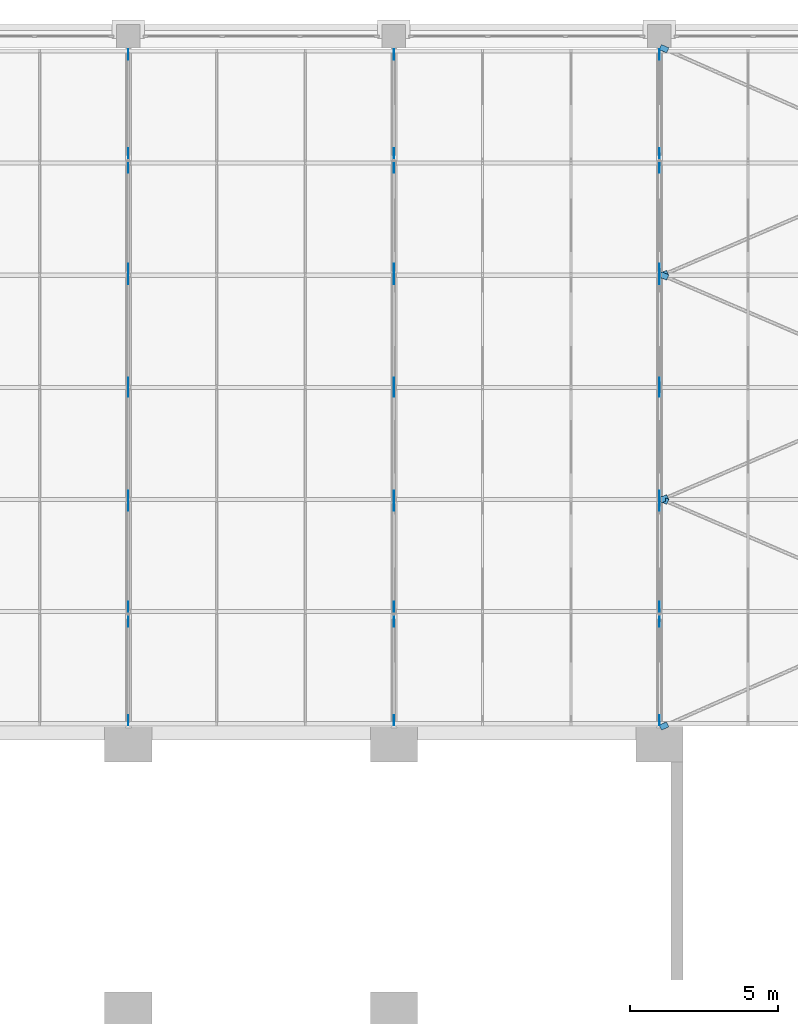
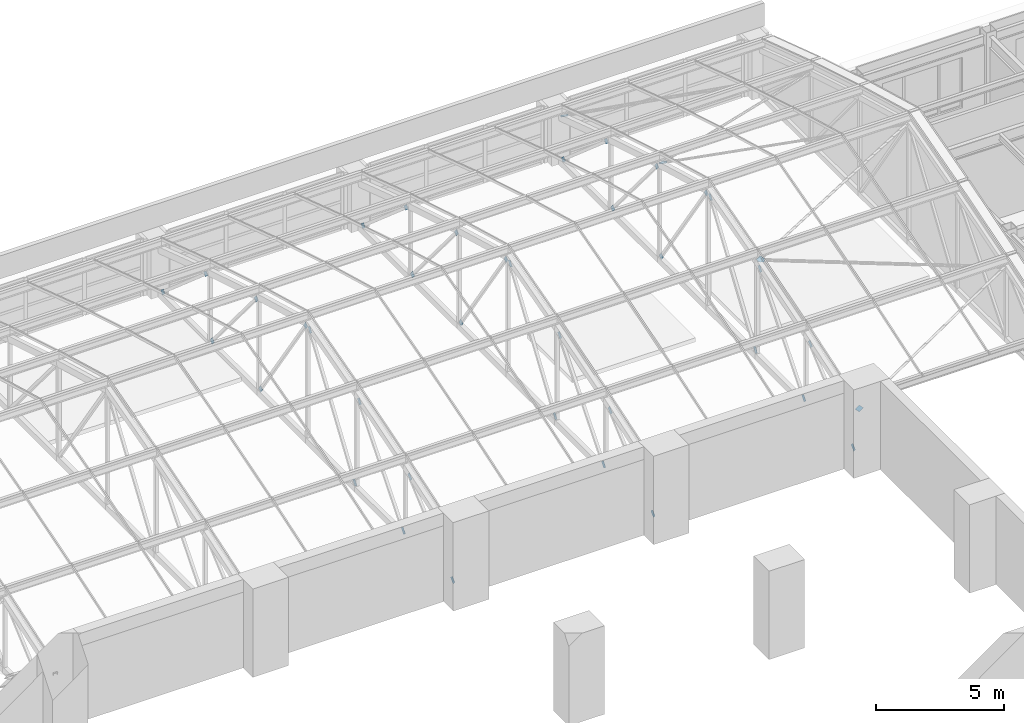
# One storey, part 75 of 82: 42 discrete accessories.
"""IFC4 building model written with IfcOpenShell, lengths in metres."""

from ifc_helpers import new_model, si_unit, direction, frame, origin, place, context, subcontext, project, spatial, polyline, outline, extrude, material, layer, layer_set, type_object, element, save


model = new_model("IFC4")

# Units and contexts
model_context = context("Model", 3, precision=1e-05, world=origin(), true_north=direction((0.0, 1.0)))
body_context = subcontext(model_context, "Body", "Model", "MODEL_VIEW")
ifc_project = project(units=[si_unit("LENGTHUNIT", "METRE"), si_unit("AREAUNIT", "SQUARE_METRE"), si_unit("VOLUMEUNIT", "CUBIC_METRE"), si_unit("PLANEANGLEUNIT", "RADIAN"), si_unit("MASSUNIT", "GRAM", prefix="KILO")], contexts=[model_context])

# Site, building, storey
site_placement = place(None, origin())
site = spatial("IfcSite", under=ifc_project, at=site_placement, CompositionType="ELEMENT")
building_placement = place(site_placement, origin())
building = spatial("IfcBuilding", under=site, at=building_placement, Name="Aravalli Gate Trade Fair Centre", CompositionType="ELEMENT")
storey_placement = place(building_placement, frame((0.0, 0.0, 19.199951171875)))
storey = spatial("IfcBuildingStorey", under=building, at=storey_placement, Name="L04", CompositionType="ELEMENT", Elevation=19.199951171875)

# Discrete accessories
ifc_material = material(Name="Steel E350", Category="steel")
ifc_layer = layer(ifc_material, 0.010009765625)
ifc_layer_set = layer_set([ifc_layer], Name="Steel E350")
discrete_accessory_type = type_object("IfcDiscreteAccessoryType", Name="Gusset plate 200 x 200 x 10", PredefinedType="USERDEFINED", material=ifc_layer_set)
discrete_accessory_1_placement = place(storey_placement, frame((132.0048828125, 109.859375, 0.506591796875), z_axis=(1.0, 0.0, 0.0), x_axis=(0.0, -0.75586164892, -0.654731370633)))
element("IfcDiscreteAccessory", 1, at=discrete_accessory_1_placement, inside=storey, type_object=discrete_accessory_type, Name="Gusset plate Concourse vault truss CT1 line 15 diagonal D1 end A", ObjectType="GUSSET PLATE", PredefinedType="USERDEFINED", context=body_context, shape_type="SweptSolid", body=[
    extrude(outline(polyline([(0.0, 0.0), (0.28003791722646004, 0.0), (0.2802558704124233, 0.19974600682874327), (0.0001932631766158044, 0.20009038989015776), (0.0, 0.0)])), origin(), (0.0, 0.0, -1.0), 0.010009765625),
])
discrete_accessory_2_placement = place(storey_placement, frame((131.9951171875, 112.988525390625, 3.212158203125), z_axis=(-1.0, 0.0, 0.0), x_axis=(0.0, 0.756293179151, 0.654232853937)))
element("IfcDiscreteAccessory", 2, at=discrete_accessory_2_placement, inside=storey, type_object=discrete_accessory_type, Name="Gusset plate Concourse vault truss CT1 line 15 diagonal D1 end B", ObjectType="GUSSET PLATE", PredefinedType="USERDEFINED", context=body_context, shape_type="SweptSolid", body=[
    extrude(outline(polyline([(0.0, 0.0), (0.2798781315371493, 0.0), (0.27981679720709274, 0.20009047382409476), (-6.133433005656164e-05, 0.20009047382409473), (0.0, 0.0)])), origin(), (0.0, 0.0, -1.0), 0.010009765625),
])
discrete_accessory_3_placement = place(storey_placement, frame((132.0048828125, 113.677978515625, 0.517578125), z_axis=(1.0, 0.0, 0.0), x_axis=(0.0, -0.642926085547, -0.765928226744)))
element("IfcDiscreteAccessory", 3, at=discrete_accessory_3_placement, inside=storey, type_object=discrete_accessory_type, Name="Gusset plate Concourse vault truss CT1 line 15 diagonal D2 end A", ObjectType="GUSSET PLATE", PredefinedType="USERDEFINED", context=body_context, shape_type="SweptSolid", body=[
    extrude(outline(polyline([(0.0, 0.0), (0.2798636494456477, 2.7755575615628914e-17), (0.2799929267542597, 0.1999655872196676), (-2.768706774226859e-05, 0.20015258141565), (0.0, 0.0)])), origin(), (0.0, 0.0, -1.0), 0.010009765625),
])
discrete_accessory_4_placement = place(storey_placement, frame((131.9951171875, 116.918212890625, 4.374267578125), z_axis=(-1.0, 0.0, 0.0), x_axis=(0.0, 0.643008166301, 0.765859320025)))
element("IfcDiscreteAccessory", 4, at=discrete_accessory_4_placement, inside=storey, type_object=discrete_accessory_type, Name="Gusset plate Concourse vault truss CT1 line 15 diagonal D2 end B", ObjectType="GUSSET PLATE", PredefinedType="USERDEFINED", context=body_context, shape_type="SweptSolid", body=[
    extrude(outline(polyline([(0.0, 0.0), (0.28020760962713065, 0.0), (0.2802567470255098, 0.2001525772990151), (-0.00010784701722174606, 0.19996559992596197), (0.0, 0.0)])), origin(), (0.0, 0.0, -1.0), 0.010009765625),
])
discrete_accessory_5_placement = place(storey_placement, frame((132.0048828125, 117.432373046875, 0.521728515625), z_axis=(1.0, 0.0, 0.0), x_axis=(0.0, -0.563120416317, -0.826374852429)))
element("IfcDiscreteAccessory", 5, at=discrete_accessory_5_placement, inside=storey, type_object=discrete_accessory_type, Name="Gusset plate Concourse vault truss CT1 line 15 diagonal D3 end A", ObjectType="GUSSET PLATE", PredefinedType="USERDEFINED", context=body_context, shape_type="SweptSolid", body=[
    extrude(outline(polyline([(0.0, 0.0), (0.28007303443443027, 0.0), (0.2800062095132191, 0.19996442554114646), (0.00013492675174497926, 0.20010190611153644), (0.0, 0.0)])), origin(), (0.0, 0.0, -1.0), 0.010009765625),
])
discrete_accessory_6_placement = place(storey_placement, frame((131.9951171875, 120.77392578125, 5.423828125), z_axis=(-1.0, 0.0, 0.0), x_axis=(0.0, 0.564121160258, 0.82569202282)))
element("IfcDiscreteAccessory", 6, at=discrete_accessory_6_placement, inside=storey, type_object=discrete_accessory_type, Name="Gusset plate Concourse vault truss CT1 line 15 diagonal D3 end B", ObjectType="GUSSET PLATE", PredefinedType="USERDEFINED", context=body_context, shape_type="SweptSolid", body=[
    extrude(outline(polyline([(0.0, 0.0), (0.2800089688227054, -2.7755575615628914e-17), (0.2801803266875835, 0.19976261286755298), (0.00010749779101053292, 0.20010192272670302), (0.0, 0.0)])), origin(), (0.0, 0.0, -1.0), 0.010009765625),
])
discrete_accessory_7_placement = place(storey_placement, frame((131.9951171875, 121.2607421875, 5.31103515625), z_axis=(-1.0, 0.0, 0.0), x_axis=(0.0, -0.563120416317, 0.826374852429)))
element("IfcDiscreteAccessory", 7, at=discrete_accessory_7_placement, inside=storey, type_object=discrete_accessory_type, Name="Gusset plate Concourse vault truss CT1 line 15 diagonal D4 end A", ObjectType="GUSSET PLATE", PredefinedType="USERDEFINED", context=body_context, shape_type="SweptSolid", body=[
    extrude(outline(polyline([(0.0, 0.0), (0.28007303443443027, 0.0), (0.2800062095132191, 0.19996442554114646), (0.00013492675174497926, 0.20010190611153644), (0.0, 0.0)])), origin(), (0.0, 0.0, -1.0), 0.010009765625),
])
discrete_accessory_8_placement = place(storey_placement, frame((132.0048828125, 124.602294921875, 0.408935546875), z_axis=(1.0, 0.0, 0.0), x_axis=(0.0, 0.563526286674, -0.826098132323)))
element("IfcDiscreteAccessory", 8, at=discrete_accessory_8_placement, inside=storey, type_object=discrete_accessory_type, Name="Gusset plate Concourse vault truss CT1 line 15 diagonal D4 end B", ObjectType="GUSSET PLATE", PredefinedType="USERDEFINED", context=body_context, shape_type="SweptSolid", body=[
    extrude(outline(polyline([(0.0, 0.0), (0.279871316528615, 0.0), (0.2800363695260922, 0.19996436858870342), (-3.6631116859461854e-05, 0.20010194824853597), (0.0, 0.0)])), origin(), (0.0, 0.0, -1.0), 0.010009765625),
])
discrete_accessory_9_placement = place(storey_placement, frame((131.9951171875, 125.128662109375, 4.24560546875), z_axis=(-1.0, 0.0, 0.0), x_axis=(0.0, -0.643008166301, 0.765859320025)))
element("IfcDiscreteAccessory", 9, at=discrete_accessory_9_placement, inside=storey, type_object=discrete_accessory_type, Name="Gusset plate Concourse vault truss CT1 line 15 diagonal D5 end A", ObjectType="GUSSET PLATE", PredefinedType="USERDEFINED", context=body_context, shape_type="SweptSolid", body=[
    extrude(outline(polyline([(0.0, 0.0), (0.28020760962713065, 0.0), (0.2803154566443524, 0.19996559992596197), (0.00010784701722174606, 0.19996559992596197), (0.0, 0.0)])), origin(), (0.0, 0.0, -1.0), 0.010009765625),
])
discrete_accessory_10_placement = place(storey_placement, frame((132.0048828125, 128.368896484375, 0.388916015625), z_axis=(1.0, 0.0, 0.0), x_axis=(0.0, 0.642926085547, -0.765928226744)))
element("IfcDiscreteAccessory", 10, at=discrete_accessory_10_placement, inside=storey, type_object=discrete_accessory_type, Name="Gusset plate Concourse vault truss CT1 line 15 diagonal D5 end B", ObjectType="GUSSET PLATE", PredefinedType="USERDEFINED", context=body_context, shape_type="SweptSolid", body=[
    extrude(outline(polyline([(0.0, 0.0), (0.2798636494456477, -2.7755575615628914e-17), (0.2797343721370357, 0.19996558721966756), (-0.00012927730861199416, 0.1999655872196676), (0.0, 0.0)])), origin(), (0.0, 0.0, -1.0), 0.010009765625),
])
discrete_accessory_11_placement = place(storey_placement, frame((131.9951171875, 129.080810546875, 3.060791015625), z_axis=(-1.0, 0.0, 0.0), x_axis=(0.0, -0.756666176812, 0.653801420057)))
element("IfcDiscreteAccessory", 11, at=discrete_accessory_11_placement, inside=storey, type_object=discrete_accessory_type, Name="Gusset plate Concourse vault truss CT1 line 15 diagonal D6 end A", ObjectType="GUSSET PLATE", PredefinedType="USERDEFINED", context=body_context, shape_type="SweptSolid", body=[
    extrude(outline(polyline([(0.0, 0.0), (0.28006281897354945, 0.0), (0.2800100381297428, 0.2000904762631978), (0.00013195210951666425, 0.19993085677587924), (0.0, 0.0)])), origin(), (0.0, 0.0, -1.0), 0.010009765625),
])
discrete_accessory_12_placement = place(storey_placement, frame((132.0048828125, 132.209716796875, 0.355224609375), z_axis=(1.0, 0.0, 0.0), x_axis=(0.0, 0.756666176812, -0.653801420057)))
element("IfcDiscreteAccessory", 12, at=discrete_accessory_12_placement, inside=storey, type_object=discrete_accessory_type, Name="Gusset plate Concourse vault truss CT1 line 15 diagonal D6 end B", ObjectType="GUSSET PLATE", PredefinedType="USERDEFINED", context=body_context, shape_type="SweptSolid", body=[
    extrude(outline(polyline([(0.0, 0.0), (0.28006281897354945, 0.0), (0.2802752193046747, 0.19990574330987443), (5.27808438066657e-05, 0.2000904762631978), (0.0, 0.0)])), origin(), (0.0, 0.0, -1.0), 0.010009765625),
])
discrete_accessory_13_placement = place(storey_placement, frame((141.0048828125, 109.859375, 0.506591796875), z_axis=(1.0, 0.0, 0.0), x_axis=(0.0, -0.75586164892, -0.654731370633)))
element("IfcDiscreteAccessory", 13, at=discrete_accessory_13_placement, inside=storey, type_object=discrete_accessory_type, Name="Gusset plate Concourse vault truss CT1 line 16 diagonal D1 end A", ObjectType="GUSSET PLATE", PredefinedType="USERDEFINED", context=body_context, shape_type="SweptSolid", body=[
    extrude(outline(polyline([(0.0, 0.0), (0.28003791722646004, 0.0), (0.2802558704124233, 0.19974600682874327), (0.0001932631766158044, 0.20009038989015776), (0.0, 0.0)])), origin(), (0.0, 0.0, -1.0), 0.010009765625),
])
discrete_accessory_14_placement = place(storey_placement, frame((140.9951171875, 112.988525390625, 3.212158203125), z_axis=(-1.0, 0.0, 0.0), x_axis=(0.0, 0.756293179151, 0.654232853937)))
element("IfcDiscreteAccessory", 14, at=discrete_accessory_14_placement, inside=storey, type_object=discrete_accessory_type, Name="Gusset plate Concourse vault truss CT1 line 16 diagonal D1 end B", ObjectType="GUSSET PLATE", PredefinedType="USERDEFINED", context=body_context, shape_type="SweptSolid", body=[
    extrude(outline(polyline([(0.0, 0.0), (0.2798781315371493, 0.0), (0.27981679720709274, 0.20009047382409476), (-6.133433005656164e-05, 0.20009047382409473), (0.0, 0.0)])), origin(), (0.0, 0.0, -1.0), 0.010009765625),
])
discrete_accessory_15_placement = place(storey_placement, frame((141.0048828125, 113.677978515625, 0.517578125), z_axis=(1.0, 0.0, 0.0), x_axis=(0.0, -0.642926085547, -0.765928226744)))
element("IfcDiscreteAccessory", 15, at=discrete_accessory_15_placement, inside=storey, type_object=discrete_accessory_type, Name="Gusset plate Concourse vault truss CT1 line 16 diagonal D2 end A", ObjectType="GUSSET PLATE", PredefinedType="USERDEFINED", context=body_context, shape_type="SweptSolid", body=[
    extrude(outline(polyline([(0.0, 0.0), (0.2798636494456477, 2.7755575615628914e-17), (0.2799929267542597, 0.1999655872196676), (-2.768706774226859e-05, 0.20015258141565), (0.0, 0.0)])), origin(), (0.0, 0.0, -1.0), 0.010009765625),
])
discrete_accessory_16_placement = place(storey_placement, frame((140.9951171875, 116.918212890625, 4.374267578125), z_axis=(-1.0, 0.0, 0.0), x_axis=(0.0, 0.643008166301, 0.765859320025)))
element("IfcDiscreteAccessory", 16, at=discrete_accessory_16_placement, inside=storey, type_object=discrete_accessory_type, Name="Gusset plate Concourse vault truss CT1 line 16 diagonal D2 end B", ObjectType="GUSSET PLATE", PredefinedType="USERDEFINED", context=body_context, shape_type="SweptSolid", body=[
    extrude(outline(polyline([(0.0, 0.0), (0.28020760962713065, 0.0), (0.2802567470255098, 0.2001525772990151), (-0.00010784701722174606, 0.19996559992596197), (0.0, 0.0)])), origin(), (0.0, 0.0, -1.0), 0.010009765625),
])
discrete_accessory_17_placement = place(storey_placement, frame((141.0048828125, 117.432373046875, 0.521728515625), z_axis=(1.0, 0.0, 0.0), x_axis=(0.0, -0.563120416317, -0.826374852429)))
element("IfcDiscreteAccessory", 17, at=discrete_accessory_17_placement, inside=storey, type_object=discrete_accessory_type, Name="Gusset plate Concourse vault truss CT1 line 16 diagonal D3 end A", ObjectType="GUSSET PLATE", PredefinedType="USERDEFINED", context=body_context, shape_type="SweptSolid", body=[
    extrude(outline(polyline([(0.0, 0.0), (0.28007303443443027, 0.0), (0.2800062095132191, 0.19996442554114646), (0.00013492675174497926, 0.20010190611153644), (0.0, 0.0)])), origin(), (0.0, 0.0, -1.0), 0.010009765625),
])
discrete_accessory_18_placement = place(storey_placement, frame((140.9951171875, 120.77392578125, 5.423828125), z_axis=(-1.0, 0.0, 0.0), x_axis=(0.0, 0.564121160258, 0.82569202282)))
element("IfcDiscreteAccessory", 18, at=discrete_accessory_18_placement, inside=storey, type_object=discrete_accessory_type, Name="Gusset plate Concourse vault truss CT1 line 16 diagonal D3 end B", ObjectType="GUSSET PLATE", PredefinedType="USERDEFINED", context=body_context, shape_type="SweptSolid", body=[
    extrude(outline(polyline([(0.0, 0.0), (0.2800089688227054, -2.7755575615628914e-17), (0.2801803266875835, 0.19976261286755298), (0.00010749779101053292, 0.20010192272670302), (0.0, 0.0)])), origin(), (0.0, 0.0, -1.0), 0.010009765625),
])
discrete_accessory_19_placement = place(storey_placement, frame((140.9951171875, 121.2607421875, 5.31103515625), z_axis=(-1.0, 0.0, 0.0), x_axis=(0.0, -0.563120416317, 0.826374852429)))
element("IfcDiscreteAccessory", 19, at=discrete_accessory_19_placement, inside=storey, type_object=discrete_accessory_type, Name="Gusset plate Concourse vault truss CT1 line 16 diagonal D4 end A", ObjectType="GUSSET PLATE", PredefinedType="USERDEFINED", context=body_context, shape_type="SweptSolid", body=[
    extrude(outline(polyline([(0.0, 0.0), (0.28007303443443027, 0.0), (0.2800062095132191, 0.19996442554114646), (0.00013492675174497926, 0.20010190611153644), (0.0, 0.0)])), origin(), (0.0, 0.0, -1.0), 0.010009765625),
])
discrete_accessory_20_placement = place(storey_placement, frame((141.0048828125, 124.602294921875, 0.408935546875), z_axis=(1.0, 0.0, 0.0), x_axis=(0.0, 0.563526286674, -0.826098132323)))
element("IfcDiscreteAccessory", 20, at=discrete_accessory_20_placement, inside=storey, type_object=discrete_accessory_type, Name="Gusset plate Concourse vault truss CT1 line 16 diagonal D4 end B", ObjectType="GUSSET PLATE", PredefinedType="USERDEFINED", context=body_context, shape_type="SweptSolid", body=[
    extrude(outline(polyline([(0.0, 0.0), (0.279871316528615, 0.0), (0.2800363695260922, 0.19996436858870342), (-3.6631116859461854e-05, 0.20010194824853597), (0.0, 0.0)])), origin(), (0.0, 0.0, -1.0), 0.010009765625),
])
discrete_accessory_21_placement = place(storey_placement, frame((140.9951171875, 125.128662109375, 4.24560546875), z_axis=(-1.0, 0.0, 0.0), x_axis=(0.0, -0.643008166301, 0.765859320025)))
element("IfcDiscreteAccessory", 21, at=discrete_accessory_21_placement, inside=storey, type_object=discrete_accessory_type, Name="Gusset plate Concourse vault truss CT1 line 16 diagonal D5 end A", ObjectType="GUSSET PLATE", PredefinedType="USERDEFINED", context=body_context, shape_type="SweptSolid", body=[
    extrude(outline(polyline([(0.0, 0.0), (0.28020760962713065, 0.0), (0.2803154566443524, 0.19996559992596197), (0.00010784701722174606, 0.19996559992596197), (0.0, 0.0)])), origin(), (0.0, 0.0, -1.0), 0.010009765625),
])
discrete_accessory_22_placement = place(storey_placement, frame((141.0048828125, 128.368896484375, 0.388916015625), z_axis=(1.0, 0.0, 0.0), x_axis=(0.0, 0.642926085547, -0.765928226744)))
element("IfcDiscreteAccessory", 22, at=discrete_accessory_22_placement, inside=storey, type_object=discrete_accessory_type, Name="Gusset plate Concourse vault truss CT1 line 16 diagonal D5 end B", ObjectType="GUSSET PLATE", PredefinedType="USERDEFINED", context=body_context, shape_type="SweptSolid", body=[
    extrude(outline(polyline([(0.0, 0.0), (0.2798636494456477, -2.7755575615628914e-17), (0.2797343721370357, 0.19996558721966756), (-0.00012927730861199416, 0.1999655872196676), (0.0, 0.0)])), origin(), (0.0, 0.0, -1.0), 0.010009765625),
])
discrete_accessory_23_placement = place(storey_placement, frame((140.9951171875, 129.080810546875, 3.060791015625), z_axis=(-1.0, 0.0, 0.0), x_axis=(0.0, -0.756666176812, 0.653801420057)))
element("IfcDiscreteAccessory", 23, at=discrete_accessory_23_placement, inside=storey, type_object=discrete_accessory_type, Name="Gusset plate Concourse vault truss CT1 line 16 diagonal D6 end A", ObjectType="GUSSET PLATE", PredefinedType="USERDEFINED", context=body_context, shape_type="SweptSolid", body=[
    extrude(outline(polyline([(0.0, 0.0), (0.28006281897354945, 0.0), (0.2800100381297428, 0.2000904762631978), (0.00013195210951666425, 0.19993085677587924), (0.0, 0.0)])), origin(), (0.0, 0.0, -1.0), 0.010009765625),
])
discrete_accessory_24_placement = place(storey_placement, frame((141.0048828125, 132.209716796875, 0.355224609375), z_axis=(1.0, 0.0, 0.0), x_axis=(0.0, 0.756666176812, -0.653801420057)))
element("IfcDiscreteAccessory", 24, at=discrete_accessory_24_placement, inside=storey, type_object=discrete_accessory_type, Name="Gusset plate Concourse vault truss CT1 line 16 diagonal D6 end B", ObjectType="GUSSET PLATE", PredefinedType="USERDEFINED", context=body_context, shape_type="SweptSolid", body=[
    extrude(outline(polyline([(0.0, 0.0), (0.28006281897354945, 0.0), (0.2802752193046747, 0.19990574330987443), (5.27808438066657e-05, 0.2000904762631978), (0.0, 0.0)])), origin(), (0.0, 0.0, -1.0), 0.010009765625),
])
discrete_accessory_25_placement = place(storey_placement, frame((150.0048828125, 109.859375, 0.506591796875), z_axis=(1.0, 0.0, 0.0), x_axis=(0.0, -0.75586164892, -0.654731370633)))
element("IfcDiscreteAccessory", 25, at=discrete_accessory_25_placement, inside=storey, type_object=discrete_accessory_type, Name="Gusset plate Concourse vault truss CT1 line 17 diagonal D1 end A", ObjectType="GUSSET PLATE", PredefinedType="USERDEFINED", context=body_context, shape_type="SweptSolid", body=[
    extrude(outline(polyline([(0.0, 0.0), (0.28003791722646004, 0.0), (0.2802558704124233, 0.19974600682874327), (0.0001932631766158044, 0.20009038989015776), (0.0, 0.0)])), origin(), (0.0, 0.0, -1.0), 0.010009765625),
])
discrete_accessory_26_placement = place(storey_placement, frame((149.9951171875, 112.988525390625, 3.212158203125), z_axis=(-1.0, 0.0, 0.0), x_axis=(0.0, 0.756293179151, 0.654232853937)))
element("IfcDiscreteAccessory", 26, at=discrete_accessory_26_placement, inside=storey, type_object=discrete_accessory_type, Name="Gusset plate Concourse vault truss CT1 line 17 diagonal D1 end B", ObjectType="GUSSET PLATE", PredefinedType="USERDEFINED", context=body_context, shape_type="SweptSolid", body=[
    extrude(outline(polyline([(0.0, 0.0), (0.2798781315371493, 0.0), (0.27981679720709274, 0.20009047382409476), (-6.133433005656164e-05, 0.20009047382409473), (0.0, 0.0)])), origin(), (0.0, 0.0, -1.0), 0.010009765625),
])
discrete_accessory_27_placement = place(storey_placement, frame((150.0048828125, 113.677978515625, 0.517578125), z_axis=(1.0, 0.0, 0.0), x_axis=(0.0, -0.642926085547, -0.765928226744)))
element("IfcDiscreteAccessory", 27, at=discrete_accessory_27_placement, inside=storey, type_object=discrete_accessory_type, Name="Gusset plate Concourse vault truss CT1 line 17 diagonal D2 end A", ObjectType="GUSSET PLATE", PredefinedType="USERDEFINED", context=body_context, shape_type="SweptSolid", body=[
    extrude(outline(polyline([(0.0, 0.0), (0.2798636494456477, 2.7755575615628914e-17), (0.2799929267542597, 0.1999655872196676), (-2.768706774226859e-05, 0.20015258141565), (0.0, 0.0)])), origin(), (0.0, 0.0, -1.0), 0.010009765625),
])
discrete_accessory_28_placement = place(storey_placement, frame((149.9951171875, 116.918212890625, 4.374267578125), z_axis=(-1.0, 0.0, 0.0), x_axis=(0.0, 0.643008166301, 0.765859320025)))
element("IfcDiscreteAccessory", 28, at=discrete_accessory_28_placement, inside=storey, type_object=discrete_accessory_type, Name="Gusset plate Concourse vault truss CT1 line 17 diagonal D2 end B", ObjectType="GUSSET PLATE", PredefinedType="USERDEFINED", context=body_context, shape_type="SweptSolid", body=[
    extrude(outline(polyline([(0.0, 0.0), (0.28020760962713065, 0.0), (0.2802567470255098, 0.2001525772990151), (-0.00010784701722174606, 0.19996559992596197), (0.0, 0.0)])), origin(), (0.0, 0.0, -1.0), 0.010009765625),
])
discrete_accessory_29_placement = place(storey_placement, frame((150.0048828125, 117.432373046875, 0.521728515625), z_axis=(1.0, 0.0, 0.0), x_axis=(0.0, -0.563120416317, -0.826374852429)))
element("IfcDiscreteAccessory", 29, at=discrete_accessory_29_placement, inside=storey, type_object=discrete_accessory_type, Name="Gusset plate Concourse vault truss CT1 line 17 diagonal D3 end A", ObjectType="GUSSET PLATE", PredefinedType="USERDEFINED", context=body_context, shape_type="SweptSolid", body=[
    extrude(outline(polyline([(0.0, 0.0), (0.28007303443443027, 0.0), (0.2800062095132191, 0.19996442554114646), (0.00013492675174497926, 0.20010190611153644), (0.0, 0.0)])), origin(), (0.0, 0.0, -1.0), 0.010009765625),
])
discrete_accessory_30_placement = place(storey_placement, frame((149.9951171875, 120.77392578125, 5.423828125), z_axis=(-1.0, 0.0, 0.0), x_axis=(0.0, 0.564121160258, 0.82569202282)))
element("IfcDiscreteAccessory", 30, at=discrete_accessory_30_placement, inside=storey, type_object=discrete_accessory_type, Name="Gusset plate Concourse vault truss CT1 line 17 diagonal D3 end B", ObjectType="GUSSET PLATE", PredefinedType="USERDEFINED", context=body_context, shape_type="SweptSolid", body=[
    extrude(outline(polyline([(0.0, 0.0), (0.2800089688227054, -2.7755575615628914e-17), (0.2801803266875835, 0.19976261286755298), (0.00010749779101053292, 0.20010192272670302), (0.0, 0.0)])), origin(), (0.0, 0.0, -1.0), 0.010009765625),
])
discrete_accessory_31_placement = place(storey_placement, frame((149.9951171875, 121.2607421875, 5.31103515625), z_axis=(-1.0, 0.0, 0.0), x_axis=(0.0, -0.563120416317, 0.826374852429)))
element("IfcDiscreteAccessory", 31, at=discrete_accessory_31_placement, inside=storey, type_object=discrete_accessory_type, Name="Gusset plate Concourse vault truss CT1 line 17 diagonal D4 end A", ObjectType="GUSSET PLATE", PredefinedType="USERDEFINED", context=body_context, shape_type="SweptSolid", body=[
    extrude(outline(polyline([(0.0, 0.0), (0.28007303443443027, 0.0), (0.2800062095132191, 0.19996442554114646), (0.00013492675174497926, 0.20010190611153644), (0.0, 0.0)])), origin(), (0.0, 0.0, -1.0), 0.010009765625),
])
discrete_accessory_32_placement = place(storey_placement, frame((150.0048828125, 124.602294921875, 0.408935546875), z_axis=(1.0, 0.0, 0.0), x_axis=(0.0, 0.563526286674, -0.826098132323)))
element("IfcDiscreteAccessory", 32, at=discrete_accessory_32_placement, inside=storey, type_object=discrete_accessory_type, Name="Gusset plate Concourse vault truss CT1 line 17 diagonal D4 end B", ObjectType="GUSSET PLATE", PredefinedType="USERDEFINED", context=body_context, shape_type="SweptSolid", body=[
    extrude(outline(polyline([(0.0, 0.0), (0.279871316528615, 0.0), (0.2800363695260922, 0.19996436858870342), (-3.6631116859461854e-05, 0.20010194824853597), (0.0, 0.0)])), origin(), (0.0, 0.0, -1.0), 0.010009765625),
])
discrete_accessory_33_placement = place(storey_placement, frame((149.9951171875, 125.128662109375, 4.24560546875), z_axis=(-1.0, 0.0, 0.0), x_axis=(0.0, -0.643008166301, 0.765859320025)))
element("IfcDiscreteAccessory", 33, at=discrete_accessory_33_placement, inside=storey, type_object=discrete_accessory_type, Name="Gusset plate Concourse vault truss CT1 line 17 diagonal D5 end A", ObjectType="GUSSET PLATE", PredefinedType="USERDEFINED", context=body_context, shape_type="SweptSolid", body=[
    extrude(outline(polyline([(0.0, 0.0), (0.28020760962713065, 0.0), (0.2803154566443524, 0.19996559992596197), (0.00010784701722174606, 0.19996559992596197), (0.0, 0.0)])), origin(), (0.0, 0.0, -1.0), 0.010009765625),
])
discrete_accessory_34_placement = place(storey_placement, frame((150.0048828125, 128.368896484375, 0.388916015625), z_axis=(1.0, 0.0, 0.0), x_axis=(0.0, 0.642926085547, -0.765928226744)))
element("IfcDiscreteAccessory", 34, at=discrete_accessory_34_placement, inside=storey, type_object=discrete_accessory_type, Name="Gusset plate Concourse vault truss CT1 line 17 diagonal D5 end B", ObjectType="GUSSET PLATE", PredefinedType="USERDEFINED", context=body_context, shape_type="SweptSolid", body=[
    extrude(outline(polyline([(0.0, 0.0), (0.2798636494456477, -2.7755575615628914e-17), (0.2797343721370357, 0.19996558721966756), (-0.00012927730861199416, 0.1999655872196676), (0.0, 0.0)])), origin(), (0.0, 0.0, -1.0), 0.010009765625),
])
discrete_accessory_35_placement = place(storey_placement, frame((149.9951171875, 129.080810546875, 3.060791015625), z_axis=(-1.0, 0.0, 0.0), x_axis=(0.0, -0.756666176812, 0.653801420057)))
element("IfcDiscreteAccessory", 35, at=discrete_accessory_35_placement, inside=storey, type_object=discrete_accessory_type, Name="Gusset plate Concourse vault truss CT1 line 17 diagonal D6 end A", ObjectType="GUSSET PLATE", PredefinedType="USERDEFINED", context=body_context, shape_type="SweptSolid", body=[
    extrude(outline(polyline([(0.0, 0.0), (0.28006281897354945, 0.0), (0.2800100381297428, 0.2000904762631978), (0.00013195210951666425, 0.19993085677587924), (0.0, 0.0)])), origin(), (0.0, 0.0, -1.0), 0.010009765625),
])
discrete_accessory_36_placement = place(storey_placement, frame((150.0048828125, 132.209716796875, 0.355224609375), z_axis=(1.0, 0.0, 0.0), x_axis=(0.0, 0.756666176812, -0.653801420057)))
element("IfcDiscreteAccessory", 36, at=discrete_accessory_36_placement, inside=storey, type_object=discrete_accessory_type, Name="Gusset plate Concourse vault truss CT1 line 17 diagonal D6 end B", ObjectType="GUSSET PLATE", PredefinedType="USERDEFINED", context=body_context, shape_type="SweptSolid", body=[
    extrude(outline(polyline([(0.0, 0.0), (0.28006281897354945, 0.0), (0.2802752193046747, 0.19990574330987443), (5.27808438066657e-05, 0.2000904762631978), (0.0, 0.0)])), origin(), (0.0, 0.0, -1.0), 0.010009765625),
])
discrete_accessory_37_placement = place(storey_placement, frame((150.323486328125, 109.59228515625, 2.24267578125), z_axis=(-0.002866844378, -0.312240307666, 0.94999882709), x_axis=(-0.906579490217, -0.400115371163, -0.134243501436)))
element("IfcDiscreteAccessory", 37, at=discrete_accessory_37_placement, inside=storey, type_object=discrete_accessory_type, Name="Gusset plate Vault plan brace 18.1 end A", ObjectType="GUSSET PLATE", PredefinedType="USERDEFINED", context=body_context, shape_type="SweptSolid", body=[
    extrude(outline(polyline([(0.0, 0.0), (0.28007058701420207, -1.5612511283791264e-17), (0.2801157048711934, -0.2000632194868309), (4.511785699132329e-05, -0.2000632194868309), (0.0, 0.0)])), origin(), (0.0, 0.0, -1.0), 0.010009765625),
])
discrete_accessory_38_placement = place(storey_placement, frame((150.241455078125, 117.1328125, 4.62841796875), z_axis=(-0.002720281144, -0.289244140225, 0.957251496429), x_axis=(-0.912396487095, 0.392522389286, 0.116012172833)))
element("IfcDiscreteAccessory", 38, at=discrete_accessory_38_placement, inside=storey, type_object=discrete_accessory_type, Name="Gusset plate Vault plan brace 18.2 end A", ObjectType="GUSSET PLATE", PredefinedType="USERDEFINED", context=body_context, shape_type="SweptSolid", body=[
    extrude(outline(polyline([(0.0, 0.0), (0.27989048331717137, 1.0408340855860843e-17), (0.27971053463067697, -0.2000180022851947), (-0.00017994868649438313, -0.20001800228519473), (0.0, 0.0)])), origin(), (0.0, 0.0, -1.0), 0.010009765625),
])
discrete_accessory_39_placement = place(storey_placement, frame((150.323486328125, 117.289794921875, 4.6748046875), z_axis=(0.007524526515, -0.289445686564, 0.957164863558), x_axis=(-0.912683464381, -0.39310561852, -0.111699894958)))
element("IfcDiscreteAccessory", 39, at=discrete_accessory_39_placement, inside=storey, type_object=discrete_accessory_type, Name="Gusset plate Vault plan brace 18.3 end A", ObjectType="GUSSET PLATE", PredefinedType="USERDEFINED", context=body_context, shape_type="SweptSolid", body=[
    extrude(outline(polyline([(0.0, 0.0), (0.28007026555517084, -2.949029909160572e-17), (0.28002706748677203, -0.20026109279010934), (5.2774982997608015e-05, -0.20004801953453447), (0.0, 0.0)])), origin(), (0.0, 0.0, -1.0), 0.010009765625),
])
discrete_accessory_40_placement = place(storey_placement, frame((150.24169921875, 124.734619140625, 4.725830078125), z_axis=(-0.002557501314, 0.266539723058, 0.963820540982), x_axis=(-0.912683662754, 0.393254135456, -0.111174262704)))
element("IfcDiscreteAccessory", 40, at=discrete_accessory_40_placement, inside=storey, type_object=discrete_accessory_type, Name="Gusset plate Vault plan brace 18.4 end A", ObjectType="GUSSET PLATE", PredefinedType="USERDEFINED", context=body_context, shape_type="SweptSolid", body=[
    extrude(outline(polyline([(0.0, 0.0), (0.28007024307146805, 1.1275702593849246e-17), (0.2800213438177882, -0.20002698234189614), (-2.1757099699280802e-05, -0.2000861280212766), (0.0, 0.0)])), origin(), (0.0, 0.0, -1.0), 0.010009765625),
])
discrete_accessory_41_placement = place(storey_placement, frame((150.323486328125, 124.891845703125, 4.678955078125), z_axis=(0.007709614828, 0.266904033995, 0.963692273745), x_axis=(-0.912396487095, -0.392522389286, 0.116012172833)))
element("IfcDiscreteAccessory", 41, at=discrete_accessory_41_placement, inside=storey, type_object=discrete_accessory_type, Name="Gusset plate Vault plan brace 18.5 end A", ObjectType="GUSSET PLATE", PredefinedType="USERDEFINED", context=body_context, shape_type="SweptSolid", body=[
    extrude(outline(polyline([(0.0, 0.0), (0.27989048331717137, -6.071532165918825e-18), (0.2800619137226483, -0.20006806689712014), (0.00017143040547689357, -0.20006806689712017), (0.0, 0.0)])), origin(), (0.0, 0.0, -1.0), 0.010009765625),
])
discrete_accessory_42_placement = place(storey_placement, frame((150.239013671875, 132.435302734375, 2.299072265625), z_axis=(-0.002663005104, 0.312350014069, 0.94996335567), x_axis=(-0.906262756125, 0.400804640256, -0.134325936476)))
element("IfcDiscreteAccessory", 42, at=discrete_accessory_42_placement, inside=storey, type_object=discrete_accessory_type, Name="Gusset plate Vault plan brace 18.6 end A", ObjectType="GUSSET PLATE", PredefinedType="USERDEFINED", context=body_context, shape_type="SweptSolid", body=[
    extrude(outline(polyline([(0.0, 0.0), (0.28016835817992247, -3.469446951953614e-18), (0.2801755967265255, -0.19985292133738564), (0.00010509124197790459, -0.20006319333923658), (0.0, 0.0)])), origin(), (0.0, 0.0, -1.0), 0.010009765625),
])

save(model, "model.ifc")
